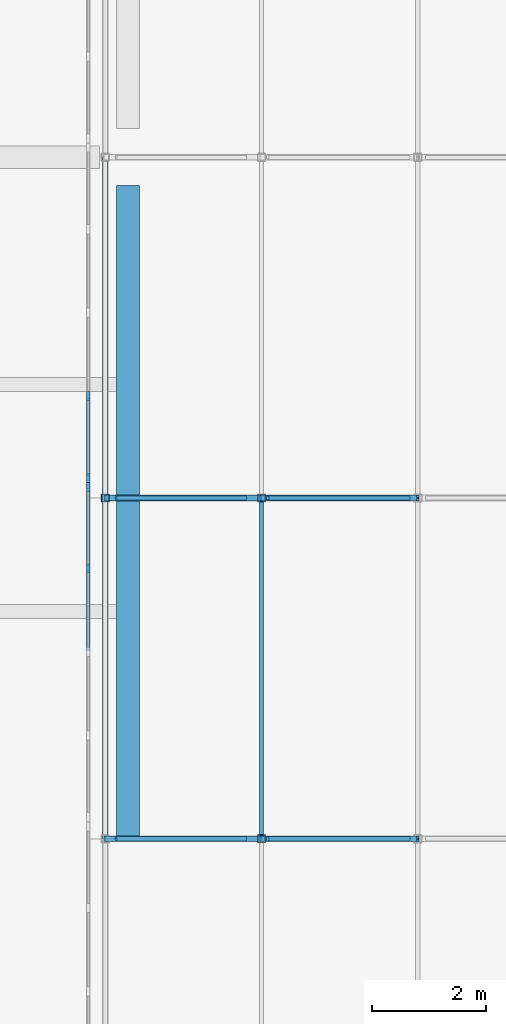
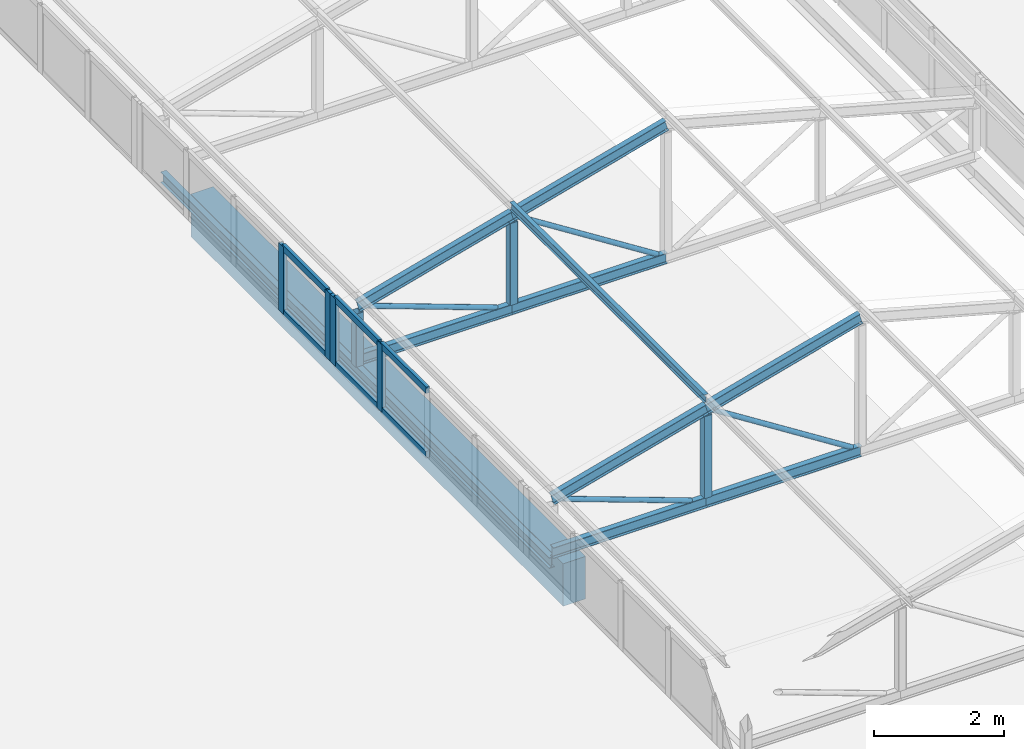
# One storey, part 9 of 94: 26 members, 2 beams, 2 elements without a shape of their own.
"""IFC4 building model written with IfcOpenShell, lengths in metres."""

import ifcopenshell
import ifcopenshell.guid

model = None  # the IFC model being written
_history = None  # IfcOwnerHistory: only IFC2X3 demands one
_inside = {}  # id of a spatial element -> (the spatial element, [elements in it])
_under = {}  # id of a project, library or spatial element -> (it, [spatial elements below it])
_declared = {}  # id of a project -> (the project, [libraries it declares])
_typed = {}  # id of a type object -> (the type object, [elements of that type])
_made_of = {}  # id of a material, layer set ... -> (it, [elements and type objects made of it])


def new_model(schema):
    """Start an empty IFC model of exactly this schema.

    Asked for "IFC4X3", IfcOpenShell would pick the latest addendum, in which some entities
    have other attributes; the version numbers below select the first issue.
    IFC2X3 requires an IfcOwnerHistory on every rooted entity: one is made here for all.
    """
    global model, _history
    if schema == "IFC4X3":
        model = ifcopenshell.file(schema_version=(4, 3, 0, 0))
    else:
        model = ifcopenshell.file(schema=schema)
    _inside.clear()
    _under.clear()
    _declared.clear()
    _typed.clear()
    _made_of.clear()
    _history = None
    if model.schema == "IFC2X3":
        org = make("IfcOrganization", Name="unknown")
        user = make(
            "IfcPersonAndOrganization",
            ThePerson=make("IfcPerson", FamilyName="unknown"),
            TheOrganization=org,
        )
        app = make(
            "IfcApplication",
            ApplicationDeveloper=org,
            Version="unknown",
            ApplicationFullName="unknown",
            ApplicationIdentifier="unknown",
        )
        _history = make(
            "IfcOwnerHistory",
            OwningUser=user,
            OwningApplication=app,
            ChangeAction="ADDED",
            CreationDate=0,
        )
    return model


def make(cls, **values):
    """One entity of the class cls with the attributes given. An attribute that is None is left unset."""
    return model.create_entity(
        cls, **{name: value for name, value in values.items() if value is not None}
    )


def rooted(cls, **values):
    """An entity with a GlobalId (a new one), such as an element, a storey or a relation."""
    return make(cls, GlobalId=ifcopenshell.guid.new(), OwnerHistory=_history, **values)


def si_unit(unit_type, name, prefix=None):
    """IfcSIUnit, for example si_unit("LENGTHUNIT", "METRE", prefix="MILLI")."""
    return make("IfcSIUnit", UnitType=unit_type, Prefix=prefix, Name=name)


def assignment(units):
    """IfcUnitAssignment: the units of a project."""
    return None if units is None else make("IfcUnitAssignment", Units=units)


def point(xyz):
    """IfcCartesianPoint."""
    return None if xyz is None else make("IfcCartesianPoint", Coordinates=xyz)


def direction(xyz):
    """IfcDirection."""
    return None if xyz is None else make("IfcDirection", DirectionRatios=xyz)


def frame(location, z_axis=None, x_axis=None):
    """IfcAxis2Placement3D, a coordinate frame: its origin and axes. An axis left out is left unset."""
    return make(
        "IfcAxis2Placement3D",
        Location=point(location),
        Axis=direction(z_axis),
        RefDirection=direction(x_axis),
    )


def frame_2d(location, x_axis=None):
    """IfcAxis2Placement2D, a coordinate frame in the plane: its origin and x axis."""
    return make(
        "IfcAxis2Placement2D", Location=point(location), RefDirection=direction(x_axis)
    )


def origin():
    """The frame at (0, 0, 0) with its axes left unset."""
    return frame((0.0, 0.0, 0.0))


def origin_2d():
    """The frame at (0, 0) in the plane with its x axis left unset."""
    return frame_2d((0.0, 0.0))


def place(relative_to, where):
    """IfcLocalPlacement: puts the frame where relative to a parent placement (None: the world)."""
    return make(
        "IfcLocalPlacement", PlacementRelTo=relative_to, RelativePlacement=where
    )


def context(
    kind, dimensions, precision=None, world=None, true_north=None, identifier=None
):
    """IfcGeometricRepresentationContext, for example the 3D "Model" context."""
    return make(
        "IfcGeometricRepresentationContext",
        ContextIdentifier=identifier,
        ContextType=kind,
        CoordinateSpaceDimension=dimensions,
        Precision=precision,
        WorldCoordinateSystem=world,
        TrueNorth=true_north,
    )


def subcontext(parent, identifier, kind, view, scale=None):
    """IfcGeometricRepresentationSubContext, for example "Body" below "Model"."""
    return make(
        "IfcGeometricRepresentationSubContext",
        ContextIdentifier=identifier,
        ContextType=kind,
        ParentContext=parent,
        TargetScale=scale,
        TargetView=view,
    )


def project(units=None, contexts=None):
    """IfcProject with its units and contexts."""
    return rooted(
        "IfcProject",
        Name="project",
        RepresentationContexts=contexts,
        UnitsInContext=assignment(units),
    )


def spatial(cls, under=None, at=None, **own):
    """A site, building, storey or space (cls), placed at a placement, below another one or the project."""
    s = rooted(cls, ObjectPlacement=at, **own)
    if under is not None:
        _under.setdefault(under.id(), (under, []))[1].append(s)
    return s


def profile(cls, at=None, kind="AREA", **sizes):
    """A parametric profile (cls). Its sizes go by their IFC names, for example OverallWidth=200.0."""
    return make(cls, ProfileType=kind, Position=at, **sizes)


def rectangle(**sizes):
    """IfcRectangleProfileDef."""
    return profile("IfcRectangleProfileDef", **sizes)


def hollow_rectangle(**sizes):
    """IfcRectangleHollowProfileDef."""
    return profile("IfcRectangleHollowProfileDef", **sizes)


def hollow_circle(**sizes):
    """IfcCircleHollowProfileDef."""
    return profile("IfcCircleHollowProfileDef", **sizes)


def i_section(**sizes):
    """IfcIShapeProfileDef."""
    return profile("IfcIShapeProfileDef", **sizes)


def extrude(swept, where, along, depth):
    """IfcExtrudedAreaSolid: the profile swept, set in the frame where, extruded along a direction by depth."""
    return make(
        "IfcExtrudedAreaSolid",
        SweptArea=swept,
        Position=where,
        ExtrudedDirection=direction(along),
        Depth=depth,
    )


def shape(context_of_items, identifier, shape_type, items):
    """IfcShapeRepresentation: the items that make up one representation, for example the "Body"."""
    return make(
        "IfcShapeRepresentation",
        ContextOfItems=context_of_items,
        RepresentationIdentifier=identifier,
        RepresentationType=shape_type,
        Items=items,
    )


def material(Name=None, Category=None):
    """IfcMaterial."""
    return make("IfcMaterial", Name=Name, Category=Category)


def layer(
    of_material, thickness, ventilated=None, Name=None, Category=None, Priority=None
):
    """IfcMaterialLayer: one layer of a wall or slab, of a material (None: an air gap)."""
    return make(
        "IfcMaterialLayer",
        Material=of_material,
        LayerThickness=thickness,
        IsVentilated=ventilated,
        Name=Name,
        Category=Category,
        Priority=Priority,
    )


def layer_set(layers, Name=None):
    """IfcMaterialLayerSet."""
    return make("IfcMaterialLayerSet", MaterialLayers=layers, LayerSetName=Name)


def material_profile(
    of_material, cross_section, Name=None, Category=None, Priority=None
):
    """IfcMaterialProfile: a cross section and its material."""
    return make(
        "IfcMaterialProfile",
        Name=Name,
        Material=of_material,
        Profile=cross_section,
        Priority=Priority,
        Category=Category,
    )


def profile_set(profiles, Name=None, composite=None):
    """IfcMaterialProfileSet."""
    return make(
        "IfcMaterialProfileSet",
        Name=Name,
        MaterialProfiles=profiles,
        CompositeProfile=composite,
    )


def made_of(thing, what):
    """Note that an element or type object is made of a material, layer set ...; save() writes the relation."""
    if what is not None:
        _made_of.setdefault(what.id(), (what, []))[1].append(thing)
    return thing


def type_object(cls, material=None, **own):
    """A type object (cls), such as IfcWallType, which elements share."""
    return made_of(rooted(cls, **own), material)


def element(
    cls,
    number,
    at=None,
    inside=None,
    cuts=None,
    type_object=None,
    material=None,
    context=None,
    identifier="Body",
    shape_type=None,
    held_by="IfcProductDefinitionShape",
    body=None,
    shapes=None,
    **own,
):
    """One element of the class cls, such as IfcWall. Its Tag is "e" and its number.

    at: its placement. inside: the storey or other place that contains it. cuts: it is an
    opening in that element (IfcRelVoidsElement). A single representation is given by context,
    identifier, shape_type and body (its items); several are given by shapes. held_by: the class
    of the entity that holds the representations. save() writes the other relations.
    """
    e = rooted(cls, Tag="e%d" % number, ObjectPlacement=at, **own)
    if body is not None:
        shapes = [shape(context, identifier, shape_type, body)]
    if shapes is not None:
        e.Representation = make(held_by, Representations=shapes)
    if inside is not None:
        _inside.setdefault(inside.id(), (inside, []))[1].append(e)
    if cuts is not None:
        rooted(
            "IfcRelVoidsElement", RelatingBuildingElement=cuts, RelatedOpeningElement=e
        )
    if type_object is not None:
        _typed.setdefault(type_object.id(), (type_object, []))[1].append(e)
    return made_of(e, material)


def aggregate(whole, parts):
    """IfcRelAggregates: a whole, such as a stair, and the parts it consists of."""
    return rooted("IfcRelAggregates", RelatingObject=whole, RelatedObjects=parts)


def save(model, path):
    """Write the relations noted so far, then the file.

    IfcRelAggregates (storeys below a building ...), IfcRelContainedInSpatialStructure (elements
    in a storey), IfcRelDefinesByType, IfcRelAssociatesMaterial and IfcRelDeclares: one each for
    every whole, place, type object, material and project.
    """
    for whole, parts in _under.values():
        aggregate(whole, parts)
    for where, things in _inside.values():
        rooted(
            "IfcRelContainedInSpatialStructure",
            RelatedElements=things,
            RelatingStructure=where,
        )
    for kind, things in _typed.values():
        rooted("IfcRelDefinesByType", RelatedObjects=things, RelatingType=kind)
    for what, things in _made_of.values():
        rooted("IfcRelAssociatesMaterial", RelatedObjects=things, RelatingMaterial=what)
    for by, libraries in _declared.values():
        rooted("IfcRelDeclares", RelatingContext=by, RelatedDefinitions=libraries)
    model.write(path)


model = new_model("IFC4")

# Units and contexts
model_context = context("Model", 3, precision=1e-05, world=origin(), true_north=direction((0.0, 1.0)))
body_context = subcontext(model_context, "Body", "Model", "MODEL_VIEW")
ifc_project = project(units=[si_unit("LENGTHUNIT", "METRE"), si_unit("AREAUNIT", "SQUARE_METRE"), si_unit("VOLUMEUNIT", "CUBIC_METRE"), si_unit("PLANEANGLEUNIT", "RADIAN"), si_unit("MASSUNIT", "GRAM", prefix="KILO")], contexts=[model_context])

# Site, building, storey
site_placement = place(None, origin())
site = spatial("IfcSite", under=ifc_project, at=site_placement, CompositionType="ELEMENT")
building_placement = place(site_placement, origin())
building = spatial("IfcBuilding", under=site, at=building_placement, Name="Lilac Gate Convention Centre", CompositionType="ELEMENT")
storey_placement = place(building_placement, frame((0.0, 0.0, 21.0)))
storey = spatial("IfcBuildingStorey", under=building, at=storey_placement, Name="L04", CompositionType="ELEMENT", Elevation=21.0)

# Curtain wall, members
ifc_material_1 = material(Name="Aluminium framed double glazing", Category="aluminium")
ifc_layer = layer(ifc_material_1, 0.199951171875)
ifc_layer_set = layer_set([ifc_layer], Name="Aluminium framed double glazing")
curtain_wall_type = type_object("IfcCurtainWallType", Name="Unitised curtain wall 1500", PredefinedType="NOTDEFINED", material=ifc_layer_set)
curtain_wall_1_placement = place(storey_placement, origin())
curtain_wall_1 = element("IfcCurtainWall", 1, at=curtain_wall_1_placement, inside=storey, type_object=curtain_wall_type, Name="Lantern clerestory W 5", PredefinedType="NOTDEFINED")
ifc_material_2 = material(Name="Aluminium alloy 6063", Category="aluminium")
ifc_material_profile_1 = material_profile(ifc_material_2, rectangle(XDim=0.06005859375, YDim=0.159912109375, at=origin_2d()), Name="Curtain wall mullion 60 x 160")
ifc_profile_set_1 = profile_set([ifc_material_profile_1], Name="Aluminium alloy 6063")
member_type_1 = type_object("IfcMemberType", Name="Curtain wall mullion 60 x 160", PredefinedType="MULLION", material=ifc_profile_set_1)
member_1_placement = place(storey_placement, frame((17.300048828125, 58.75634765625, 0.0), z_axis=(0.0, 0.0, 1.0), x_axis=(-1.0, 0.0, 0.0)))
member_1 = element("IfcMember", 2, at=member_1_placement, type_object=member_type_1, Name="CW mullion 4", PredefinedType="MULLION", context=body_context, shape_type="SweptSolid", body=[
    extrude(rectangle(XDim=0.06005859375, YDim=0.159912109375, at=origin_2d()), origin(), (0.0, 0.0, 1.0), 1.272216796875),
])
member_2_placement = place(storey_placement, frame((17.300048828125, 60.195068359375, 0.0), z_axis=(0.0, 0.0, 1.0), x_axis=(-1.0, 0.0, 0.0)))
member_2 = element("IfcMember", 3, at=member_2_placement, type_object=member_type_1, Name="CW mullion 5", PredefinedType="MULLION", context=body_context, shape_type="SweptSolid", body=[
    extrude(rectangle(XDim=0.06005859375, YDim=0.159912109375, at=origin_2d()), origin(), (0.0, 0.0, 1.0), 1.272216796875),
])

curtain_wall_2_placement = place(storey_placement, origin())
curtain_wall_2 = element("IfcCurtainWall", 4, at=curtain_wall_2_placement, inside=storey, type_object=curtain_wall_type, Name="Lantern clerestory W 6", PredefinedType="NOTDEFINED")
member_3_placement = place(storey_placement, frame((17.300048828125, 60.35498046875, 0.0), z_axis=(0.0, 0.0, 1.0), x_axis=(-1.0, 0.0, 0.0)))
member_3 = element("IfcMember", 5, at=member_3_placement, type_object=member_type_1, Name="CW mullion 1", PredefinedType="MULLION", context=body_context, shape_type="SweptSolid", body=[
    extrude(rectangle(XDim=0.06005859375, YDim=0.159912109375, at=origin_2d()), origin(), (0.0, 0.0, 1.0), 1.272216796875),
])
member_4_placement = place(storey_placement, frame((17.300048828125, 61.793701171875, 0.0), z_axis=(0.0, 0.0, 1.0), x_axis=(-1.0, 0.0, 0.0)))
member_4 = element("IfcMember", 6, at=member_4_placement, type_object=member_type_1, Name="CW mullion 2", PredefinedType="MULLION", context=body_context, shape_type="SweptSolid", body=[
    extrude(rectangle(XDim=0.06005859375, YDim=0.159912109375, at=origin_2d()), origin(), (0.0, 0.0, 1.0), 1.272216796875),
])

# Member
ifc_material_profile_2 = material_profile(ifc_material_2, rectangle(XDim=0.06005859375, YDim=0.1201171875, at=origin_2d()), Name="Curtain wall transom 60 x 120")
ifc_profile_set_2 = profile_set([ifc_material_profile_2], Name="Aluminium alloy 6063")
member_type_2 = type_object("IfcMemberType", Name="Curtain wall transom 60 x 120", PredefinedType="USERDEFINED", material=ifc_profile_set_2)
member_5_placement = place(storey_placement, frame((17.300048828125, 57.317626953125, 0.030029296875), z_axis=(0.0, 1.0, 0.0), x_axis=(-1.0, 0.0, 0.0)))
member_5 = element("IfcMember", 7, at=member_5_placement, type_object=member_type_2, Name="CW transom 3.1", ObjectType="TRANSOM", PredefinedType="USERDEFINED", context=body_context, shape_type="SweptSolid", body=[
    extrude(rectangle(XDim=0.06005859375, YDim=0.1201171875, at=origin_2d()), origin(), (0.0, 0.0, 1.0), 1.40869140625),
])

member_6_placement = place(storey_placement, frame((17.300048828125, 57.317626953125, 1.2421875), z_axis=(0.0, 1.0, 0.0), x_axis=(-1.0, 0.0, 0.0)))
member_6 = element("IfcMember", 8, at=member_6_placement, type_object=member_type_2, Name="CW transom 3.2", ObjectType="TRANSOM", PredefinedType="USERDEFINED", context=body_context, shape_type="SweptSolid", body=[
    extrude(rectangle(XDim=0.06005859375, YDim=0.1201171875, at=origin_2d()), origin(), (0.0, 0.0, 1.0), 1.40869140625),
])

member_7_placement = place(storey_placement, frame((17.300048828125, 58.786376953125, 0.030029296875), z_axis=(0.0, 1.0, 0.0), x_axis=(-1.0, 0.0, 0.0)))
member_7 = element("IfcMember", 9, at=member_7_placement, type_object=member_type_2, Name="CW transom 4.1", ObjectType="TRANSOM", PredefinedType="USERDEFINED", context=body_context, shape_type="SweptSolid", body=[
    extrude(rectangle(XDim=0.06005859375, YDim=0.1201171875, at=origin_2d()), origin(), (0.0, 0.0, 1.0), 1.378662109375),
])

member_8_placement = place(storey_placement, frame((17.300048828125, 58.786376953125, 1.2421875), z_axis=(0.0, 1.0, 0.0), x_axis=(-1.0, 0.0, 0.0)))
member_8 = element("IfcMember", 10, at=member_8_placement, type_object=member_type_2, Name="CW transom 4.2", ObjectType="TRANSOM", PredefinedType="USERDEFINED", context=body_context, shape_type="SweptSolid", body=[
    extrude(rectangle(XDim=0.06005859375, YDim=0.1201171875, at=origin_2d()), origin(), (0.0, 0.0, 1.0), 1.378662109375),
])

aggregate(curtain_wall_1, [member_1, member_2, member_5, member_6, member_7, member_8])

member_9_placement = place(storey_placement, frame((17.300048828125, 60.385009765625, 0.030029296875), z_axis=(0.0, 1.0, 0.0), x_axis=(-1.0, 0.0, 0.0)))
member_9 = element("IfcMember", 11, at=member_9_placement, type_object=member_type_2, Name="CW transom 1.1", ObjectType="TRANSOM", PredefinedType="USERDEFINED", context=body_context, shape_type="SweptSolid", body=[
    extrude(rectangle(XDim=0.06005859375, YDim=0.1201171875, at=origin_2d()), origin(), (0.0, 0.0, 1.0), 1.378662109375),
])

member_10_placement = place(storey_placement, frame((17.300048828125, 60.385009765625, 1.2421875), z_axis=(0.0, 1.0, 0.0), x_axis=(-1.0, 0.0, 0.0)))
member_10 = element("IfcMember", 12, at=member_10_placement, type_object=member_type_2, Name="CW transom 1.2", ObjectType="TRANSOM", PredefinedType="USERDEFINED", context=body_context, shape_type="SweptSolid", body=[
    extrude(rectangle(XDim=0.06005859375, YDim=0.1201171875, at=origin_2d()), origin(), (0.0, 0.0, 1.0), 1.378662109375),
])

aggregate(curtain_wall_2, [member_3, member_4, member_9, member_10])

# Members
ifc_material_3 = material(Name="Steel Q355B", Category="steel")
ifc_material_profile_3 = material_profile(ifc_material_3, i_section(OverallWidth=0.10009765625, OverallDepth=0.199951171875, WebThickness=0.005615234375, FlangeThickness=0.008056640625, FilletRadius=0.008056640625, at=origin_2d()), Name="HN200x100x5.5x8")
ifc_profile_set_3 = profile_set([ifc_material_profile_3], Name="Steel Q355B")
member_type_3 = type_object("IfcMemberType", Name="Lantern bottom chord HN200x100x5.5x8", PredefinedType="CHORD", material=ifc_profile_set_3)
for number, where, z_axis, x_axis, name in (
    (13, (17.60009765625, 54.0, 0.10009765625), (1.0, 0.0, 0.0), (0.0, 1.0, 0.0), "LB1 lantern truss 5 bottom chord 1"),
    (14, (20.35009765625, 54.0, 0.10009765625), (1.0, 0.0, 0.0), (0.0, 1.0, 0.0), "LB1 lantern truss 5 bottom chord 2"),
    (15, (17.60009765625, 60.0, 0.10009765625), (1.0, 0.0, 0.0), (0.0, 1.0, 0.0), "LB1 lantern truss 6 bottom chord 1"),
    (16, (20.35009765625, 60.0, 0.10009765625), (1.0, 0.0, 0.0), (0.0, 1.0, 0.0), "LB1 lantern truss 6 bottom chord 2"),
):
    element("IfcMember", number, at=place(storey_placement, frame(where, z_axis=z_axis, x_axis=x_axis)), inside=storey, type_object=member_type_3, Name=name, PredefinedType="CHORD", context=body_context, shape_type="SweptSolid", body=[
        extrude(i_section(OverallWidth=0.10009765625, OverallDepth=0.199951171875, WebThickness=0.005615234375, FlangeThickness=0.008056640625, FilletRadius=0.008056640625, at=origin_2d()), origin(), (0.0, 0.0, 1.0), 2.75),
    ])
ifc_material_profile_4 = material_profile(ifc_material_3, hollow_circle(Radius=0.04443359375, WallThickness=0.0048828125, at=origin_2d()), Name="CHS88.9x5")
ifc_profile_set_4 = profile_set([ifc_material_profile_4], Name="Steel Q355B")
member_type_4 = type_object("IfcMemberType", Name="Lantern diagonal CHS88.9x5", PredefinedType="BRACE", material=ifc_profile_set_4)
member_11_placement = place(storey_placement, frame((17.789794921875, 54.0, 1.031005859375), z_axis=(0.939781696917, 0.0, -0.341775309434), x_axis=(0.0, 1.0, 0.0)))
element("IfcMember", 17, at=member_11_placement, inside=storey, type_object=member_type_4, Name="LW1 lantern truss 5 diagonal 1", PredefinedType="BRACE", context=body_context, shape_type="SweptSolid", body=[
    extrude(hollow_circle(Radius=0.04443359375, WallThickness=0.0048828125, at=origin_2d()), origin(), (0.0, 0.0, 1.0), 2.431640625),
])
member_12_placement = place(storey_placement, frame((20.45849609375, 54.0, 1.781005859375), z_axis=(0.843647832412, 0.0, -0.536896949951), x_axis=(0.0, 1.0, 0.0)))
element("IfcMember", 18, at=member_12_placement, inside=storey, type_object=member_type_4, Name="LW1 lantern truss 5 diagonal 2", PredefinedType="BRACE", context=body_context, shape_type="SweptSolid", body=[
    extrude(hollow_circle(Radius=0.04443359375, WallThickness=0.0048828125, at=origin_2d()), origin(), (0.0, 0.0, 1.0), 2.94482421875),
])
member_13_placement = place(storey_placement, frame((17.789794921875, 60.0, 1.031005859375), z_axis=(0.939781696917, 0.0, -0.341775309434), x_axis=(0.0, 1.0, 0.0)))
element("IfcMember", 19, at=member_13_placement, inside=storey, type_object=member_type_4, Name="LW1 lantern truss 6 diagonal 1", PredefinedType="BRACE", context=body_context, shape_type="SweptSolid", body=[
    extrude(hollow_circle(Radius=0.04443359375, WallThickness=0.0048828125, at=origin_2d()), origin(), (0.0, 0.0, 1.0), 2.431640625),
])
member_14_placement = place(storey_placement, frame((20.45849609375, 60.0, 1.781005859375), z_axis=(0.843647832412, 0.0, -0.536896949951), x_axis=(0.0, 1.0, 0.0)))
element("IfcMember", 20, at=member_14_placement, inside=storey, type_object=member_type_4, Name="LW1 lantern truss 6 diagonal 2", PredefinedType="BRACE", context=body_context, shape_type="SweptSolid", body=[
    extrude(hollow_circle(Radius=0.04443359375, WallThickness=0.0048828125, at=origin_2d()), origin(), (0.0, 0.0, 1.0), 2.94482421875),
])
ifc_material_profile_5 = material_profile(ifc_material_3, hollow_rectangle(XDim=0.139892578125, YDim=0.139892578125, WallThickness=0.0048828125, InnerFilletRadius=0.0048828125, OuterFilletRadius=0.010009765625, at=origin_2d()), Name="SHS140x140x5")
ifc_profile_set_5 = profile_set([ifc_material_profile_5], Name="Steel Q355B")
member_type_5 = type_object("IfcMemberType", Name="Lantern post SHS140x140x5", PredefinedType="STRUT", material=ifc_profile_set_5)
member_15_placement = place(storey_placement, frame((20.35009765625, 54.0, 0.199951171875), z_axis=(0.0, 0.0, 1.0), x_axis=(1.0, 0.0, 0.0)))
element("IfcMember", 21, at=member_15_placement, inside=storey, type_object=member_type_5, Name="LV1 lantern truss 5 post 2", PredefinedType="STRUT", context=body_context, shape_type="SweptSolid", body=[
    extrude(hollow_rectangle(XDim=0.139892578125, YDim=0.139892578125, WallThickness=0.0048828125, InnerFilletRadius=0.0048828125, OuterFilletRadius=0.010009765625, at=origin_2d()), origin(), (0.0, 0.0, 1.0), 1.546142578125),
])
member_16_placement = place(storey_placement, frame((17.60009765625, 60.0, 0.0), z_axis=(0.0, 0.0, 1.0), x_axis=(1.0, 0.0, 0.0)))
element("IfcMember", 22, at=member_16_placement, inside=storey, type_object=member_type_5, Name="LV1 lantern truss 6 post 1", PredefinedType="STRUT", context=body_context, shape_type="SweptSolid", body=[
    extrude(hollow_rectangle(XDim=0.139892578125, YDim=0.139892578125, WallThickness=0.0048828125, InnerFilletRadius=0.0048828125, OuterFilletRadius=0.010009765625, at=origin_2d()), origin(), (0.0, 0.0, 1.0), 1.001953125),
])
member_17_placement = place(storey_placement, frame((20.35009765625, 60.0, 0.199951171875), z_axis=(0.0, 0.0, 1.0), x_axis=(1.0, 0.0, 0.0)))
element("IfcMember", 23, at=member_17_placement, inside=storey, type_object=member_type_5, Name="LV1 lantern truss 6 post 2", PredefinedType="STRUT", context=body_context, shape_type="SweptSolid", body=[
    extrude(hollow_rectangle(XDim=0.139892578125, YDim=0.139892578125, WallThickness=0.0048828125, InnerFilletRadius=0.0048828125, OuterFilletRadius=0.010009765625, at=origin_2d()), origin(), (0.0, 0.0, 1.0), 1.546142578125),
])
ifc_material_profile_6 = material_profile(ifc_material_3, i_section(OverallWidth=0.074951171875, OverallDepth=0.14990234375, WebThickness=0.0048828125, FlangeThickness=0.007080078125, FilletRadius=0.008056640625, at=origin_2d()), Name="HN150x75x5x7")
ifc_profile_set_6 = profile_set([ifc_material_profile_6], Name="Steel Q355B")
member_type_6 = type_object("IfcMemberType", Name="Lantern purlin HN150x75x5x7", PredefinedType="PURLIN", material=ifc_profile_set_6)
member_18_placement = place(storey_placement, frame((20.35009765625, 54.0, 2.029052734375), z_axis=(0.0, 1.0, 0.0), x_axis=(-1.0, 0.0, 0.0)))
element("IfcMember", 24, at=member_18_placement, inside=storey, type_object=member_type_6, Name="LP1 lantern purlin bay 5 line 2", PredefinedType="PURLIN", context=body_context, shape_type="SweptSolid", body=[
    extrude(i_section(OverallWidth=0.074951171875, OverallDepth=0.14990234375, WebThickness=0.0048828125, FlangeThickness=0.007080078125, FilletRadius=0.008056640625, at=origin_2d()), origin(), (0.0, 0.0, 1.0), 6.0),
])
ifc_material_profile_7 = material_profile(ifc_material_3, i_section(OverallWidth=0.10009765625, OverallDepth=0.199951171875, WebThickness=0.005615234375, FlangeThickness=0.008056640625, FilletRadius=0.008056640625, at=origin_2d()), Name="HN200x100x5.5x8")
ifc_profile_set_7 = profile_set([ifc_material_profile_7], Name="Steel Q355B")
member_type_7 = type_object("IfcMemberType", Name="Lantern top chord HN200x100x5.5x8", PredefinedType="CHORD", material=ifc_profile_set_7)
for number, where, z_axis, x_axis, name in (
    (25, (17.60009765625, 54.0, 1.10009765625), (0.964763821238, 0.0, 0.263117405792), (0.0, 1.0, 0.0), "LT1 lantern truss 5 top chord 1"),
    (26, (20.35009765625, 54.0, 1.85009765625), (0.964763821238, 0.0, 0.263117405792), (0.0, 1.0, 0.0), "LT1 lantern truss 5 top chord 2"),
    (27, (17.60009765625, 60.0, 1.10009765625), (0.964763821238, 0.0, 0.263117405792), (0.0, 1.0, 0.0), "LT1 lantern truss 6 top chord 1"),
    (28, (20.35009765625, 60.0, 1.85009765625), (0.964763821238, 0.0, 0.263117405792), (0.0, 1.0, 0.0), "LT1 lantern truss 6 top chord 2"),
):
    element("IfcMember", number, at=place(storey_placement, frame(where, z_axis=z_axis, x_axis=x_axis)), inside=storey, type_object=member_type_7, Name=name, PredefinedType="CHORD", context=body_context, shape_type="SweptSolid", body=[
        extrude(i_section(OverallWidth=0.10009765625, OverallDepth=0.199951171875, WebThickness=0.005615234375, FlangeThickness=0.008056640625, FilletRadius=0.008056640625, at=origin_2d()), origin(), (0.0, 0.0, 1.0), 2.850341796875),
    ])

# Beams
ifc_material_profile_8 = material_profile(ifc_material_3, i_section(OverallWidth=0.10009765625, OverallDepth=0.199951171875, WebThickness=0.005615234375, FlangeThickness=0.008056640625, FilletRadius=0.008056640625, at=origin_2d()), Name="HN200x100x5.5x8")
ifc_profile_set_8 = profile_set([ifc_material_profile_8], Name="Steel Q355B")
beam_type_1 = type_object("IfcBeamType", Name="Steel edge beam HN200x100x5.5x8", PredefinedType="BEAM", material=ifc_profile_set_8)
beam_1_placement = place(storey_placement, frame((17.60009765625, 54.0, -0.10009765625), z_axis=(0.0, 1.0, 0.0), x_axis=(-1.0, 0.0, 0.0)))
element("IfcBeam", 29, at=beam_1_placement, inside=storey, type_object=beam_type_1, Name="LE2 lantern west edge beam 3", PredefinedType="BEAM", context=body_context, shape_type="SweptSolid", body=[
    extrude(i_section(OverallWidth=0.10009765625, OverallDepth=0.199951171875, WebThickness=0.005615234375, FlangeThickness=0.008056640625, FilletRadius=0.008056640625, at=origin_2d()), origin(), (0.0, 0.0, 1.0), 12.0),
])
ifc_material_4 = material(Name="Concrete C40", Category="concrete")
ifc_material_profile_9 = material_profile(ifc_material_4, rectangle(XDim=0.39990234375, YDim=0.800048828125, at=origin_2d()), Name="RC 400x800")
ifc_profile_set_9 = profile_set([ifc_material_profile_9], Name="Concrete C40")
beam_type_2 = type_object("IfcBeamType", Name="Tower primary beam 400x800 C40", PredefinedType="BEAM", material=ifc_profile_set_9)
beam_2_placement = place(storey_placement, frame((18.0, 54.0, -0.60009765625), z_axis=(0.0, 1.0, 0.0), x_axis=(-1.0, 0.0, 0.0)))
element("IfcBeam", 30, at=beam_2_placement, inside=storey, type_object=beam_type_2, Name="RB3 L04 2/C-2/D", PredefinedType="BEAM", context=body_context, shape_type="SweptSolid", body=[
    extrude(rectangle(XDim=0.39990234375, YDim=0.800048828125, at=origin_2d()), origin(), (0.0, 0.0, 1.0), 11.5),
])

save(model, "model.ifc")
